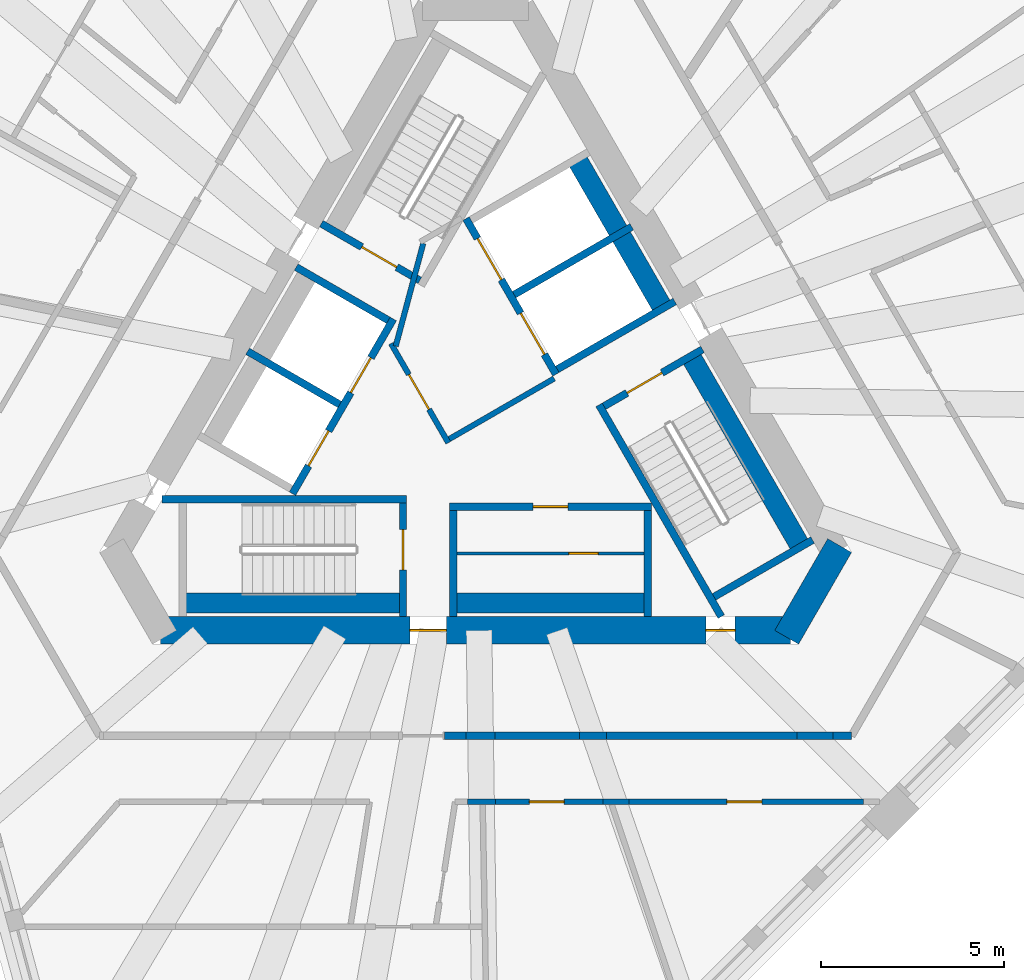
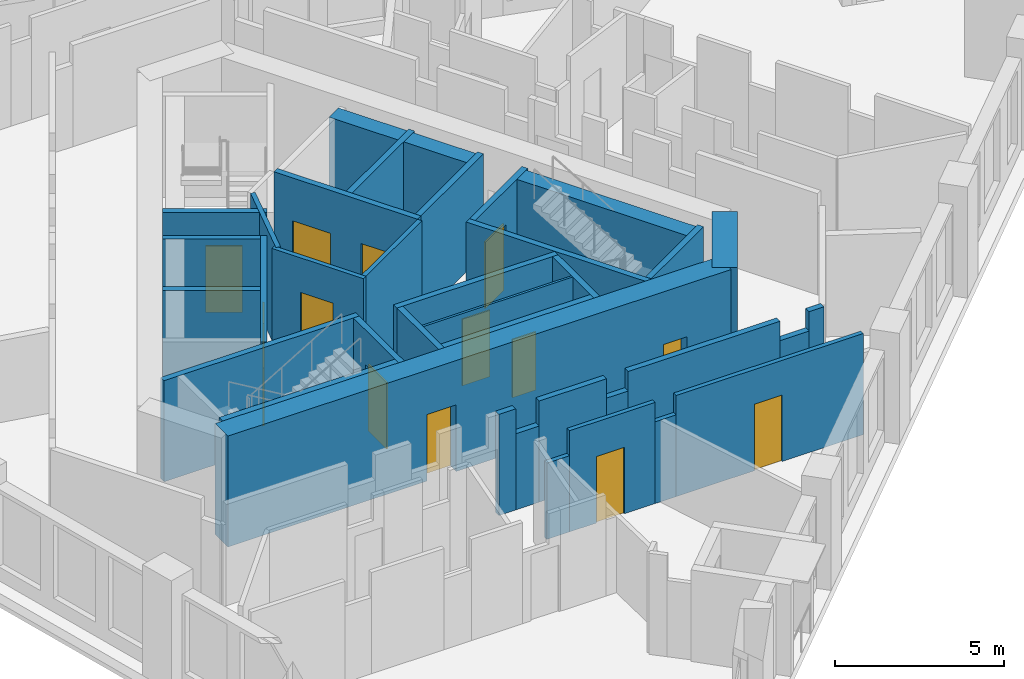
# One storey, part 4 of 13: 36 walls, 14 doors, 14 openings.
"""IFC4 building model written with IfcOpenShell, lengths in metres."""

from ifc_helpers import new_model, si_unit, direction, frame, frame_2d, origin, place, context, subcontext, project, spatial, rectangle, extrude, material, layer, layer_set, type_object, element, fill, save


model = new_model("IFC4")

# Units and contexts
model_context = context("Model", 3, precision=1e-05, world=origin(), true_north=direction((0.0, 1.0)))
body_context = subcontext(model_context, "Body", "Model", "MODEL_VIEW")
ifc_project = project(units=[si_unit("LENGTHUNIT", "METRE"), si_unit("AREAUNIT", "SQUARE_METRE"), si_unit("VOLUMEUNIT", "CUBIC_METRE"), si_unit("PLANEANGLEUNIT", "RADIAN"), si_unit("MASSUNIT", "GRAM", prefix="KILO")], contexts=[model_context])

# Site, building, storey
site_placement = place(None, origin())
site = spatial("IfcSite", under=ifc_project, at=site_placement, CompositionType="ELEMENT")
building_placement = place(site_placement, origin())
building = spatial("IfcBuilding", under=site, at=building_placement, Name="Tramontana Tower", CompositionType="ELEMENT")
storey_placement = place(building_placement, frame((0.0, 0.0, 224.0)))
storey = spatial("IfcBuildingStorey", under=building, at=storey_placement, Name="L52", CompositionType="ELEMENT", Elevation=224.0)

# Wall, openings, doors
ifc_material_1 = material(Name="Concrete 70 MPa", Category="concrete")
ifc_layer_1 = layer(ifc_material_1, 0.75)
ifc_layer_set_1 = layer_set([ifc_layer_1], Name="Core wall 750 70 MPa")
wall_type_1 = type_object("IfcWallType", Name="Core wall 750 70 MPa", PredefinedType="SHEAR", material=ifc_layer_set_1)
wall_1_placement = place(storey_placement, frame((-8.588134765625, -6.375, 0.0), z_axis=(0.0, 0.0, 1.0), x_axis=(1.0, 0.0, 0.0)))
wall_1 = element("IfcWall", 1, at=wall_1_placement, inside=storey, type_object=wall_type_1, Name="Core wall C3 L52", PredefinedType="SHEAR", context=body_context, shape_type="SweptSolid", body=[
    extrude(rectangle(XDim=17.17626953125, YDim=0.75, at=frame_2d((8.588134765625, 0.0))), origin(), (0.0, 0.0, 1.0), 4.0),
])
opening_1_placement = place(wall_1_placement, frame((6.793212890625, 0.0, 0.0)))
opening_1 = element("IfcOpeningElement", 2, at=opening_1_placement, cuts=wall_1, Name="Opening RG2", PredefinedType="OPENING", context=body_context, shape_type="SweptSolid", body=[
    extrude(rectangle(XDim=1.0, YDim=2.39990234375, at=frame_2d((0.5, 1.199951171875))), frame((0.0, 0.385009765625, 0.0), z_axis=(0.0, -1.0, 0.0), x_axis=(1.0, 0.0, 0.0)), (0.0, 0.0, 1.0), 0.77001953125),
])
opening_2_placement = place(wall_1_placement, frame((14.863525390625, 0.0, 0.0)))
opening_2 = element("IfcOpeningElement", 3, at=opening_2_placement, cuts=wall_1, Name="Opening PD2", PredefinedType="OPENING", context=body_context, shape_type="SweptSolid", body=[
    extrude(rectangle(XDim=0.800048828125, YDim=2.10009765625, at=frame_2d((0.39990234375, 1.050048828125))), frame((0.0, 0.385009765625, 0.0), z_axis=(0.0, -1.0, 0.0), x_axis=(1.0, 0.0, 0.0)), (0.0, 0.0, 1.0), 0.77001953125),
])
ifc_material_2 = material(Name="Painted steel", Category="steel")
door_type_1 = type_object("IfcDoorType", Name="CUPBOARD DOOR 800", OperationType="SINGLE_SWING_LEFT", PredefinedType="DOOR", material=ifc_material_2)
door_1_placement = place(opening_2_placement, origin())
door_1 = element("IfcDoor", 4, at=door_1_placement, inside=storey, type_object=door_type_1, Name="Door PD2", OperationType="SINGLE_SWING_RIGHT", OverallHeight=2.10009765625, OverallWidth=0.800048828125, PredefinedType="DOOR", context=body_context, shape_type="SweptSolid", body=[
    extrude(rectangle(XDim=0.800048828125, YDim=2.10009765625, at=frame_2d((0.39990234375, 1.050048828125))), frame((0.0, 0.02490234375, 0.0), z_axis=(0.0, -1.0, 0.0), x_axis=(1.0, 0.0, 0.0)), (0.0, 0.0, 1.0), 0.050048828125),
])
fill(opening_2, door_1)
ifc_material_3 = material(Name="Painted steel", Category="steel")
door_type_2 = type_object("IfcDoorType", Name="RING DOOR 1000", OperationType="SINGLE_SWING_LEFT", PredefinedType="DOOR", material=ifc_material_3)
door_2_placement = place(opening_1_placement, origin())
door_2 = element("IfcDoor", 5, at=door_2_placement, inside=storey, type_object=door_type_2, Name="Door RG2", OperationType="SINGLE_SWING_LEFT", OverallHeight=2.39990234375, OverallWidth=1.0, PredefinedType="DOOR", context=body_context, shape_type="SweptSolid", body=[
    extrude(rectangle(XDim=1.0, YDim=2.39990234375, at=frame_2d((0.5, 1.199951171875))), frame((0.0, 0.02490234375, 0.0), z_axis=(0.0, -1.0, 0.0), x_axis=(1.0, 0.0, 0.0)), (0.0, 0.0, 1.0), 0.050048828125),
])
fill(opening_1, door_2)

# Walls
wall_2_placement = place(storey_placement, frame((8.479736328125, -6.5625, 0.0), z_axis=(0.0, 0.0, 1.0), x_axis=(0.499995765644, 0.866027848477, 0.0)))
element("IfcWall", 6, at=wall_2_placement, inside=storey, type_object=wall_type_1, Name="Core wall C4 L52", PredefinedType="SHEAR", context=body_context, shape_type="SweptSolid", body=[
    extrude(rectangle(XDim=2.88671875, YDim=0.75, at=frame_2d((1.443359375, 0.0))), origin(), (0.0, 0.0, 1.0), 4.0),
])
ifc_material_4 = material(Name="Blockwork", Category="masonry")
ifc_layer_2 = layer(ifc_material_4, 0.199951171875)
ifc_layer_set_2 = layer_set([ifc_layer_2], Name="ENTRY WALL 200")
wall_type_2 = type_object("IfcWallType", Name="ENTRY WALL 200", PredefinedType="SOLIDWALL", material=ifc_layer_set_2)
wall_3_placement = place(storey_placement, frame((10.248046875, -9.25, 0.0), z_axis=(0.0, 0.0, 1.0), x_axis=(-1.0, 0.0, 0.0)))
element("IfcWall", 7, at=wall_3_placement, inside=storey, type_object=wall_type_2, Name="Wall v52-ew2-0", PredefinedType="SOLIDWALL", context=body_context, shape_type="SweptSolid", body=[
    extrude(rectangle(XDim=0.503173828125, YDim=0.199951171875, at=frame_2d((0.25146484375, 0.0))), origin(), (0.0, 0.0, 1.0), 3.64990234375),
])
wall_4_placement = place(storey_placement, frame((9.744873046875, -9.25, 0.0), z_axis=(0.0, 0.0, 1.0), x_axis=(-1.0, 0.0, 0.0)))
element("IfcWall", 8, at=wall_4_placement, inside=storey, type_object=wall_type_2, Name="Wall v52-ew2-1", PredefinedType="SOLIDWALL", context=body_context, shape_type="SweptSolid", body=[
    extrude(rectangle(XDim=0.98974609375, YDim=0.199951171875, at=frame_2d((0.494873046875, 0.0))), origin(), (0.0, 0.0, 1.0), 2.949951171875),
])
wall_5_placement = place(storey_placement, frame((8.755126953125, -9.25, 0.0), z_axis=(0.0, 0.0, 1.0), x_axis=(-1.0, 0.0, 0.0)))
element("IfcWall", 9, at=wall_5_placement, inside=storey, type_object=wall_type_2, Name="Wall v52-ew2-2", PredefinedType="SOLIDWALL", context=body_context, shape_type="SweptSolid", body=[
    extrude(rectangle(XDim=5.18212890625, YDim=0.199951171875, at=frame_2d((2.591064453125, 0.0))), origin(), (0.0, 0.0, 1.0), 3.64990234375),
])
wall_6_placement = place(storey_placement, frame((3.572998046875, -9.25, 0.0), z_axis=(0.0, 0.0, 1.0), x_axis=(-1.0, 0.0, 0.0)))
element("IfcWall", 10, at=wall_6_placement, inside=storey, type_object=wall_type_2, Name="Wall v52-ew2-3", PredefinedType="SOLIDWALL", context=body_context, shape_type="SweptSolid", body=[
    extrude(rectangle(XDim=0.74072265625, YDim=0.199951171875, at=frame_2d((0.370361328125, 0.0))), origin(), (0.0, 0.0, 1.0), 2.949951171875),
])
wall_7_placement = place(storey_placement, frame((2.832275390625, -9.25, 0.0), z_axis=(0.0, 0.0, 1.0), x_axis=(-1.0, 0.0, 0.0)))
element("IfcWall", 11, at=wall_7_placement, inside=storey, type_object=wall_type_2, Name="Wall v52-ew2-4", PredefinedType="SOLIDWALL", context=body_context, shape_type="SweptSolid", body=[
    extrude(rectangle(XDim=2.29736328125, YDim=0.199951171875, at=frame_2d((1.148681640625, 0.0))), origin(), (0.0, 0.0, 1.0), 3.64990234375),
])
wall_8_placement = place(storey_placement, frame((0.534912109375, -9.25, 0.0), z_axis=(0.0, 0.0, 1.0), x_axis=(-1.0, 0.0, 0.0)))
element("IfcWall", 12, at=wall_8_placement, inside=storey, type_object=wall_type_2, Name="Wall v52-ew2-5", PredefinedType="SOLIDWALL", context=body_context, shape_type="SweptSolid", body=[
    extrude(rectangle(XDim=0.800048828125, YDim=0.199951171875, at=frame_2d((0.39990234375, 0.0))), origin(), (0.0, 0.0, 1.0), 2.75),
])
wall_9_placement = place(storey_placement, frame((-0.26513671875, -9.25, 0.0), z_axis=(0.0, 0.0, 1.0), x_axis=(-1.0, 0.0, 0.0)))
element("IfcWall", 13, at=wall_9_placement, inside=storey, type_object=wall_type_2, Name="Wall v52-ew2-6", PredefinedType="SOLIDWALL", context=body_context, shape_type="SweptSolid", body=[
    extrude(rectangle(XDim=0.576171875, YDim=0.199951171875, at=frame_2d((0.2880859375, 0.0))), origin(), (0.0, 0.0, 1.0), 3.64990234375),
])

# Wall, opening, door
ifc_material_5 = material(Name="Gypsum board partition")
ifc_layer_3 = layer(ifc_material_5, 0.14990234375)
ifc_layer_set_3 = layer_set([ifc_layer_3], Name="PARTITION 150")
wall_type_3 = type_object("IfcWallType", Name="PARTITION 150", PredefinedType="PARTITIONING", material=ifc_layer_set_3)
wall_10_placement = place(storey_placement, frame((-0.744140625, -1.260986328125, 0.0), z_axis=(0.0, 0.0, 1.0), x_axis=(-0.500004234368, 0.866022959057, 0.0)))
wall_10 = element("IfcWall", 14, at=wall_10_placement, inside=storey, type_object=wall_type_3, Name="Wall ff-front", PredefinedType="PARTITIONING", context=body_context, shape_type="SweptSolid", body=[
    extrude(rectangle(XDim=3.125, YDim=0.14990234375, at=frame_2d((1.5625, 0.0))), origin(), (0.0, 0.0, 1.0), 3.64990234375),
])
opening_3_placement = place(wall_10_placement, frame((1.050048828125, 0.0, 0.0)))
opening_3 = element("IfcOpeningElement", 15, at=opening_3_placement, cuts=wall_10, Name="Opening FD1", PredefinedType="OPENING", context=body_context, shape_type="SweptSolid", body=[
    extrude(rectangle(XDim=1.10009765625, YDim=2.39990234375, at=frame_2d((0.550048828125, 1.199951171875))), frame((0.0, 0.0849609375, 0.0), z_axis=(0.0, -1.0, 0.0), x_axis=(1.0, 0.0, 0.0)), (0.0, 0.0, 1.0), 0.169921875),
])
ifc_material_6 = material(Name="Painted timber", Category="wood")
door_type_3 = type_object("IfcDoorType", Name="DOOR ENTRY 1100", OperationType="SINGLE_SWING_LEFT", PredefinedType="DOOR", material=ifc_material_6)
door_3_placement = place(opening_3_placement, origin())
door_3 = element("IfcDoor", 16, at=door_3_placement, inside=storey, type_object=door_type_3, Name="Door FD1", OperationType="SINGLE_SWING_LEFT", OverallHeight=2.39990234375, OverallWidth=1.10009765625, PredefinedType="DOOR", context=body_context, shape_type="SweptSolid", body=[
    extrude(rectangle(XDim=1.10009765625, YDim=2.39990234375, at=frame_2d((0.550048828125, 1.199951171875))), frame((0.0, 0.02490234375, 0.0), z_axis=(0.0, -1.0, 0.0), x_axis=(1.0, 0.0, 0.0)), (0.0, 0.0, 1.0), 0.050048828125),
])
fill(opening_3, door_3)

# Walls
wall_11_placement = place(storey_placement, frame((-0.716796875, -1.15869140625, 0.0), z_axis=(0.0, 0.0, 1.0), x_axis=(0.866008176907, 0.50002983664, 0.0)))
element("IfcWall", 17, at=wall_11_placement, inside=storey, type_object=wall_type_3, Name="Wall ff-end0", PredefinedType="PARTITIONING", context=body_context, shape_type="SweptSolid", body=[
    extrude(rectangle(XDim=3.300048828125, YDim=0.14990234375, at=frame_2d((1.64990234375, 0.0))), origin(), (0.0, 0.0, 1.0), 3.64990234375),
])
wall_12_placement = place(storey_placement, frame((-2.177978515625, 1.372314453125, 0.0), z_axis=(0.0, 0.0, 1.0), x_axis=(0.258808958833, 0.96592852884, 0.0)))
element("IfcWall", 18, at=wall_12_placement, inside=storey, type_object=wall_type_3, Name="Wall ff-diag", PredefinedType="PARTITIONING", context=body_context, shape_type="SweptSolid", body=[
    extrude(rectangle(XDim=2.902587890625, YDim=0.14990234375, at=frame_2d((1.451171875, 0.0))), origin(), (0.0, 0.0, 1.0), 3.64990234375),
])

# Wall, opening, door
wall_13_placement = place(storey_placement, frame((10.57275390625, -11.050048828125, 0.0), z_axis=(0.0, 0.0, 1.0), x_axis=(-1.0, 0.0, 0.0)))
wall_13 = element("IfcWall", 19, at=wall_13_placement, inside=storey, type_object=wall_type_3, Name="Wall v52-pw32-1", PredefinedType="PARTITIONING", context=body_context, shape_type="SweptSolid", body=[
    extrude(rectangle(XDim=6.3896484375, YDim=0.14990234375, at=frame_2d((3.19482421875, 0.0))), origin(), (0.0, 0.0, 1.0), 3.64990234375),
])
opening_4_placement = place(wall_13_placement, frame((2.77001953125, 0.0, 0.0)))
opening_4 = element("IfcOpeningElement", 20, at=opening_4_placement, cuts=wall_13, Name="Opening B5C-11", PredefinedType="OPENING", context=body_context, shape_type="SweptSolid", body=[
    extrude(rectangle(XDim=0.949951171875, YDim=2.39990234375, at=frame_2d((0.47509765625, 1.199951171875))), frame((0.0, 0.0849609375, 0.0), z_axis=(0.0, -1.0, 0.0), x_axis=(1.0, 0.0, 0.0)), (0.0, 0.0, 1.0), 0.169921875),
])
ifc_material_7 = material(Name="Painted timber", Category="wood")
door_type_4 = type_object("IfcDoorType", Name="DOOR ROOM 950", OperationType="SINGLE_SWING_LEFT", PredefinedType="DOOR", material=ifc_material_7)
door_4_placement = place(opening_4_placement, origin())
door_4 = element("IfcDoor", 21, at=door_4_placement, inside=storey, type_object=door_type_4, Name="Door B5C-11", OperationType="SINGLE_SWING_LEFT", OverallHeight=2.39990234375, OverallWidth=0.949951171875, PredefinedType="DOOR", context=body_context, shape_type="SweptSolid", body=[
    extrude(rectangle(XDim=0.949951171875, YDim=2.39990234375, at=frame_2d((0.47509765625, 1.199951171875))), frame((0.0, 0.02490234375, 0.0), z_axis=(0.0, -1.0, 0.0), x_axis=(1.0, 0.0, 0.0)), (0.0, 0.0, 1.0), 0.050048828125),
])
fill(opening_4, door_4)

# Wall
wall_14_placement = place(storey_placement, frame((4.18310546875, -11.050048828125, 0.0), z_axis=(0.0, 0.0, 1.0), x_axis=(-1.0, 0.0, 0.0)))
element("IfcWall", 22, at=wall_14_placement, inside=storey, type_object=wall_type_3, Name="Wall v52-pw32-2", PredefinedType="PARTITIONING", context=body_context, shape_type="SweptSolid", body=[
    extrude(rectangle(XDim=0.71435546875, YDim=0.14990234375, at=frame_2d((0.357177734375, 0.0))), origin(), (0.0, 0.0, 1.0), 2.949951171875),
])

# Wall, opening, door
wall_15_placement = place(storey_placement, frame((3.46875, -11.050048828125, 0.0), z_axis=(0.0, 0.0, 1.0), x_axis=(-1.0, 0.0, 0.0)))
wall_15 = element("IfcWall", 23, at=wall_15_placement, inside=storey, type_object=wall_type_3, Name="Wall v52-pw32-3", PredefinedType="PARTITIONING", context=body_context, shape_type="SweptSolid", body=[
    extrude(rectangle(XDim=2.919921875, YDim=0.14990234375, at=frame_2d((1.4599609375, 0.0))), origin(), (0.0, 0.0, 1.0), 3.64990234375),
])
opening_5_placement = place(wall_15_placement, frame((1.05419921875, 0.0, 0.0)))
opening_5 = element("IfcOpeningElement", 24, at=opening_5_placement, cuts=wall_15, Name="Opening B5C-10", PredefinedType="OPENING", context=body_context, shape_type="SweptSolid", body=[
    extrude(rectangle(XDim=0.949951171875, YDim=2.39990234375, at=frame_2d((0.47509765625, 1.199951171875))), frame((0.0, 0.0849609375, 0.0), z_axis=(0.0, -1.0, 0.0), x_axis=(1.0, 0.0, 0.0)), (0.0, 0.0, 1.0), 0.169921875),
])
door_5_placement = place(opening_5_placement, origin())
door_5 = element("IfcDoor", 25, at=door_5_placement, inside=storey, type_object=door_type_4, Name="Door B5C-10", OperationType="SINGLE_SWING_RIGHT", OverallHeight=2.39990234375, OverallWidth=0.949951171875, PredefinedType="DOOR", context=body_context, shape_type="SweptSolid", body=[
    extrude(rectangle(XDim=0.949951171875, YDim=2.39990234375, at=frame_2d((0.47509765625, 1.199951171875))), frame((0.0, 0.02490234375, 0.0), z_axis=(0.0, -1.0, 0.0), x_axis=(1.0, 0.0, 0.0)), (0.0, 0.0, 1.0), 0.050048828125),
])
fill(opening_5, door_5)

# Wall
wall_16_placement = place(storey_placement, frame((0.548828125, -11.050048828125, 0.0), z_axis=(0.0, 0.0, 1.0), x_axis=(-1.0, 0.0, 0.0)))
element("IfcWall", 26, at=wall_16_placement, inside=storey, type_object=wall_type_3, Name="Wall v52-pw32-4", PredefinedType="PARTITIONING", context=body_context, shape_type="SweptSolid", body=[
    extrude(rectangle(XDim=0.775146484375, YDim=0.14990234375, at=frame_2d((0.3876953125, 0.0))), origin(), (0.0, 0.0, 1.0), 2.75),
])

# Wall, opening, door
ifc_material_8 = material(Name="Gypsum board partition")
ifc_layer_4 = layer(ifc_material_8, 0.080078125)
ifc_layer_set_4 = layer_set([ifc_layer_4], Name="PARTITION 80")
wall_type_4 = type_object("IfcWallType", Name="PARTITION 80", PredefinedType="PARTITIONING", material=ifc_layer_set_4)
wall_17_placement = place(storey_placement, frame((4.590087890625, -4.27490234375, 0.0), z_axis=(0.0, 0.0, 1.0), x_axis=(-1.0, 0.0, 0.0)))
wall_17 = element("IfcWall", 27, at=wall_17_placement, inside=storey, type_object=wall_type_4, Name="Wall row1-split", PredefinedType="PARTITIONING", context=body_context, shape_type="SweptSolid", body=[
    extrude(rectangle(XDim=5.10009765625, YDim=0.080078125, at=frame_2d((2.550048828125, 0.0))), origin(), (0.0, 0.0, 1.0), 3.64990234375),
])
opening_6_placement = place(wall_17_placement, frame((1.25, 0.0, 0.0)))
opening_6 = element("IfcOpeningElement", 28, at=opening_6_placement, cuts=wall_17, Name="Opening RD-1B", PredefinedType="OPENING", context=body_context, shape_type="SweptSolid", body=[
    extrude(rectangle(XDim=0.800048828125, YDim=2.10009765625, at=frame_2d((0.39990234375, 1.050048828125))), frame((0.0, 0.050048828125, 0.0), z_axis=(0.0, -1.0, 0.0), x_axis=(1.0, 0.0, 0.0)), (0.0, 0.0, 1.0), 0.10009765625),
])
door_6_placement = place(opening_6_placement, origin())
door_6 = element("IfcDoor", 29, at=door_6_placement, inside=storey, type_object=door_type_1, Name="Door RD-1B", OperationType="SINGLE_SWING_RIGHT", OverallHeight=2.10009765625, OverallWidth=0.800048828125, PredefinedType="DOOR", context=body_context, shape_type="SweptSolid", body=[
    extrude(rectangle(XDim=0.800048828125, YDim=2.10009765625, at=frame_2d((0.39990234375, 1.050048828125))), frame((0.0, 0.02490234375, 0.0), z_axis=(0.0, -1.0, 0.0), x_axis=(1.0, 0.0, 0.0)), (0.0, 0.0, 1.0), 0.050048828125),
])
fill(opening_6, door_6)

# Walls
ifc_material_9 = material(Name="Concrete 70 MPa", Category="concrete")
ifc_layer_5 = layer(ifc_material_9, 0.550048828125)
ifc_layer_set_5 = layer_set([ifc_layer_5], Name="Concrete 70 MPa, 550 mm")
wall_type_5 = type_object("IfcWallType", Name="RC SHAFT BACK WALL 550", PredefinedType="SOLIDWALL", material=ifc_layer_set_5)
wall_18_placement = place(storey_placement, frame((-8.080078125, -5.625, 0.0), z_axis=(0.0, 0.0, 1.0), x_axis=(1.0, 0.0, 0.0)))
element("IfcWall", 30, at=wall_18_placement, inside=storey, type_object=wall_type_5, Name="Wall st2-back", PredefinedType="SOLIDWALL", context=body_context, shape_type="SweptSolid", body=[
    extrude(rectangle(XDim=6.2001953125, YDim=0.550048828125, at=frame_2d((3.10009765625, 0.0))), origin(), (0.0, 0.0, 1.0), 3.64990234375),
])
wall_19_placement = place(storey_placement, frame((8.911376953125, -4.18505859375, 0.0), z_axis=(0.0, 0.0, 1.0), x_axis=(-0.500009909098, 0.866019682689, 0.0)))
element("IfcWall", 31, at=wall_19_placement, inside=storey, type_object=wall_type_5, Name="Wall st3-back", PredefinedType="SOLIDWALL", context=body_context, shape_type="SweptSolid", body=[
    extrude(rectangle(XDim=6.199951171875, YDim=0.550048828125, at=frame_2d((3.10009765625, 0.0))), origin(), (0.0, 0.0, 1.0), 3.64990234375),
])
wall_20_placement = place(storey_placement, frame((-0.7099609375, -5.625, 0.0), z_axis=(0.0, 0.0, 1.0), x_axis=(1.0, 0.0, 0.0)))
element("IfcWall", 32, at=wall_20_placement, inside=storey, type_object=wall_type_5, Name="Wall row1-back", PredefinedType="SOLIDWALL", context=body_context, shape_type="SweptSolid", body=[
    extrude(rectangle(XDim=5.5, YDim=0.550048828125, at=frame_2d((2.75, 0.0))), origin(), (0.0, 0.0, 1.0), 3.64990234375),
])
wall_21_placement = place(storey_placement, frame((5.156494140625, 2.31884765625, 0.0), z_axis=(0.0, 0.0, 1.0), x_axis=(-0.500018594424, 0.866014668023, 0.0)))
element("IfcWall", 33, at=wall_21_placement, inside=storey, type_object=wall_type_5, Name="Wall row2-back", PredefinedType="SOLIDWALL", context=body_context, shape_type="SweptSolid", body=[
    extrude(rectangle(XDim=4.900146484375, YDim=0.550048828125, at=frame_2d((2.4501953125, 0.0))), origin(), (0.0, 0.0, 1.0), 3.64990234375),
])

# Wall, opening, door
ifc_material_10 = material(Name="Concrete 70 MPa", Category="concrete")
ifc_layer_6 = layer(ifc_material_10, 0.199951171875)
ifc_layer_set_6 = layer_set([ifc_layer_6], Name="Concrete 70 MPa, 200 mm")
wall_type_6 = type_object("IfcWallType", Name="RC STAIR AND SHAFT WALL 200", PredefinedType="SOLIDWALL", material=ifc_layer_set_6)
wall_22_placement = place(storey_placement, frame((-1.521484375, 3.164794921875, 0.0), z_axis=(0.0, 0.0, 1.0), x_axis=(-0.86600983753, 0.500026960575, 0.0)))
wall_22 = element("IfcWall", 34, at=wall_22_placement, inside=storey, type_object=wall_type_6, Name="Wall st1-near", PredefinedType="SOLIDWALL", context=body_context, shape_type="SweptSolid", body=[
    extrude(rectangle(XDim=3.099853515625, YDim=0.199951171875, at=frame_2d((1.5498046875, 0.0))), origin(), (0.0, 0.0, 1.0), 3.64990234375),
])
opening_7_placement = place(wall_22_placement, frame((0.72509765625, 0.0, 0.0)))
opening_7 = element("IfcOpeningElement", 35, at=opening_7_placement, cuts=wall_22, Name="Opening SD1", PredefinedType="OPENING", context=body_context, shape_type="SweptSolid", body=[
    extrude(rectangle(XDim=1.10009765625, YDim=2.39990234375, at=frame_2d((0.550048828125, 1.199951171875))), frame((0.0, 0.10986328125, 0.0), z_axis=(0.0, -1.0, 0.0), x_axis=(1.0, 0.0, 0.0)), (0.0, 0.0, 1.0), 0.219970703125),
])
ifc_material_11 = material(Name="Painted steel", Category="steel")
door_type_5 = type_object("IfcDoorType", Name="STAIR DOOR 1100", OperationType="SINGLE_SWING_LEFT", PredefinedType="DOOR", material=ifc_material_11)
door_7_placement = place(opening_7_placement, origin())
door_7 = element("IfcDoor", 36, at=door_7_placement, inside=storey, type_object=door_type_5, Name="Door SD1", OperationType="SINGLE_SWING_RIGHT", OverallHeight=2.39990234375, OverallWidth=1.10009765625, PredefinedType="DOOR", context=body_context, shape_type="SweptSolid", body=[
    extrude(rectangle(XDim=1.10009765625, YDim=2.39990234375, at=frame_2d((0.550048828125, 1.199951171875))), frame((0.0, 0.02490234375, 0.0), z_axis=(0.0, -1.0, 0.0), x_axis=(1.0, 0.0, 0.0)), (0.0, 0.0, 1.0), 0.050048828125),
])
fill(opening_7, door_7)

# Wall
wall_23_placement = place(storey_placement, frame((-8.544677734375, -2.800048828125, 0.0), z_axis=(0.0, 0.0, 1.0), x_axis=(1.0, 0.0, 0.0)))
element("IfcWall", 37, at=wall_23_placement, inside=storey, type_object=wall_type_6, Name="Wall st2-front", PredefinedType="SOLIDWALL", context=body_context, shape_type="SweptSolid", body=[
    extrude(rectangle(XDim=6.664794921875, YDim=0.199951171875, at=frame_2d((3.33251953125, 0.0))), origin(), (0.0, 0.0, 1.0), 3.64990234375),
])

# Wall, opening, door
wall_24_placement = place(storey_placement, frame((-1.97998046875, -2.89990234375, 0.0), z_axis=(0.0, 0.0, 1.0), x_axis=(0.0, -1.0, 0.0)))
wall_24 = element("IfcWall", 38, at=wall_24_placement, inside=storey, type_object=wall_type_6, Name="Wall st2-near", PredefinedType="SOLIDWALL", context=body_context, shape_type="SweptSolid", body=[
    extrude(rectangle(XDim=3.10009765625, YDim=0.199951171875, at=frame_2d((1.550048828125, 0.0))), origin(), (0.0, 0.0, 1.0), 3.64990234375),
])
opening_8_placement = place(wall_24_placement, frame((0.72509765625, 0.0, 0.0)))
opening_8 = element("IfcOpeningElement", 39, at=opening_8_placement, cuts=wall_24, Name="Opening SD2", PredefinedType="OPENING", context=body_context, shape_type="SweptSolid", body=[
    extrude(rectangle(XDim=1.10009765625, YDim=2.39990234375, at=frame_2d((0.550048828125, 1.199951171875))), frame((0.0, 0.10986328125, 0.0), z_axis=(0.0, -1.0, 0.0), x_axis=(1.0, 0.0, 0.0)), (0.0, 0.0, 1.0), 0.219970703125),
])
door_8_placement = place(opening_8_placement, origin())
door_8 = element("IfcDoor", 40, at=door_8_placement, inside=storey, type_object=door_type_5, Name="Door SD2", OperationType="SINGLE_SWING_LEFT", OverallHeight=2.39990234375, OverallWidth=1.10009765625, PredefinedType="DOOR", context=body_context, shape_type="SweptSolid", body=[
    extrude(rectangle(XDim=1.10009765625, YDim=2.39990234375, at=frame_2d((0.550048828125, 1.199951171875))), frame((0.0, 0.02490234375, 0.0), z_axis=(0.0, -1.0, 0.0), x_axis=(1.0, 0.0, 0.0)), (0.0, 0.0, 1.0), 0.050048828125),
])
fill(opening_8, door_8)

# Walls
wall_25_placement = place(storey_placement, frame((6.697265625, -6.0, 0.0), z_axis=(0.0, 0.0, 1.0), x_axis=(-0.499980354584, 0.866036745774, 0.0)))
element("IfcWall", 41, at=wall_25_placement, inside=storey, type_object=wall_type_6, Name="Wall st3-front", PredefinedType="SOLIDWALL", context=body_context, shape_type="SweptSolid", body=[
    extrude(rectangle(XDim=6.664794921875, YDim=0.199951171875, at=frame_2d((3.33251953125, 0.0))), origin(), (0.0, 0.0, 1.0), 3.64990234375),
])
wall_26_placement = place(storey_placement, frame((6.50146484375, -5.4609375, 0.0), z_axis=(0.0, 0.0, 1.0), x_axis=(0.86600983753, 0.500026960575, 0.0)))
element("IfcWall", 42, at=wall_26_placement, inside=storey, type_object=wall_type_6, Name="Wall st3-far", PredefinedType="SOLIDWALL", context=body_context, shape_type="SweptSolid", body=[
    extrude(rectangle(XDim=3.099853515625, YDim=0.199951171875, at=frame_2d((1.5498046875, 0.0))), origin(), (0.0, 0.0, 1.0), 3.64990234375),
])

# Wall, opening, door
wall_27_placement = place(storey_placement, frame((3.50146484375, -0.2646484375, 0.0), z_axis=(0.0, 0.0, 1.0), x_axis=(0.866043940782, 0.499967891604, 0.0)))
wall_27 = element("IfcWall", 43, at=wall_27_placement, inside=storey, type_object=wall_type_6, Name="Wall st3-near", PredefinedType="SOLIDWALL", context=body_context, shape_type="SweptSolid", body=[
    extrude(rectangle(XDim=3.099853515625, YDim=0.199951171875, at=frame_2d((1.5498046875, 0.0))), origin(), (0.0, 0.0, 1.0), 3.64990234375),
])
opening_9_placement = place(wall_27_placement, frame((0.72509765625, 0.0, 0.0)))
opening_9 = element("IfcOpeningElement", 44, at=opening_9_placement, cuts=wall_27, Name="Opening SD3", PredefinedType="OPENING", context=body_context, shape_type="SweptSolid", body=[
    extrude(rectangle(XDim=1.10009765625, YDim=2.39990234375, at=frame_2d((0.550048828125, 1.199951171875))), frame((0.0, 0.10986328125, 0.0), z_axis=(0.0, -1.0, 0.0), x_axis=(1.0, 0.0, 0.0)), (0.0, 0.0, 1.0), 0.219970703125),
])
door_9_placement = place(opening_9_placement, origin())
door_9 = element("IfcDoor", 45, at=door_9_placement, inside=storey, type_object=door_type_5, Name="Door SD3", OperationType="SINGLE_SWING_RIGHT", OverallHeight=2.39990234375, OverallWidth=1.10009765625, PredefinedType="DOOR", context=body_context, shape_type="SweptSolid", body=[
    extrude(rectangle(XDim=1.10009765625, YDim=2.39990234375, at=frame_2d((0.550048828125, 1.199951171875))), frame((0.0, 0.02490234375, 0.0), z_axis=(0.0, -1.0, 0.0), x_axis=(1.0, 0.0, 0.0)), (0.0, 0.0, 1.0), 0.050048828125),
])
fill(opening_9, door_9)

# Wall, openings, doors
wall_28_placement = place(storey_placement, frame((-2.2431640625, 2.114990234375, 0.0), z_axis=(0.0, 0.0, 1.0), x_axis=(-0.499996545922, -0.866027397988, 0.0)))
wall_28 = element("IfcWall", 46, at=wall_28_placement, inside=storey, type_object=wall_type_6, Name="Wall row0-front", PredefinedType="SOLIDWALL", context=body_context, shape_type="SweptSolid", body=[
    extrude(rectangle(XDim=5.5, YDim=0.199951171875, at=frame_2d((2.75, 0.0))), origin(), (0.0, 0.0, 1.0), 3.64990234375),
])
opening_10_placement = place(wall_28_placement, frame((1.219970703125, 0.0, 0.0)))
opening_10 = element("IfcOpeningElement", 47, at=opening_10_placement, cuts=wall_28, Name="Opening LD-P1", PredefinedType="OPENING", context=body_context, shape_type="SweptSolid", body=[
    extrude(rectangle(XDim=1.10009765625, YDim=2.10009765625, at=frame_2d((0.550048828125, 1.050048828125))), frame((0.0, 0.10986328125, 0.0), z_axis=(0.0, -1.0, 0.0), x_axis=(1.0, 0.0, 0.0)), (0.0, 0.0, 1.0), 0.219970703125),
])
opening_11_placement = place(wall_28_placement, frame((3.52490234375, 0.0, 0.0)))
opening_11 = element("IfcOpeningElement", 48, at=opening_11_placement, cuts=wall_28, Name="Opening LD-P2", PredefinedType="OPENING", context=body_context, shape_type="SweptSolid", body=[
    extrude(rectangle(XDim=1.10009765625, YDim=2.10009765625, at=frame_2d((0.550048828125, 1.050048828125))), frame((0.0, 0.10986328125, 0.0), z_axis=(0.0, -1.0, 0.0), x_axis=(1.0, 0.0, 0.0)), (0.0, 0.0, 1.0), 0.219970703125),
])
ifc_material_12 = material(Name="Brushed steel", Category="steel")
door_type_6 = type_object("IfcDoorType", Name="LANDING DOOR 1100", OperationType="SINGLE_SWING_LEFT", PredefinedType="DOOR", material=ifc_material_12)
door_10_placement = place(opening_10_placement, origin())
door_10 = element("IfcDoor", 49, at=door_10_placement, inside=storey, type_object=door_type_6, Name="Door LD-P1", OperationType="SLIDING_TO_LEFT", OverallHeight=2.10009765625, OverallWidth=1.10009765625, PredefinedType="DOOR", context=body_context, shape_type="SweptSolid", body=[
    extrude(rectangle(XDim=1.10009765625, YDim=2.10009765625, at=frame_2d((0.550048828125, 1.050048828125))), frame((0.0, 0.02490234375, 0.0), z_axis=(0.0, -1.0, 0.0), x_axis=(1.0, 0.0, 0.0)), (0.0, 0.0, 1.0), 0.050048828125),
])
fill(opening_10, door_10)
door_11_placement = place(opening_11_placement, origin())
door_11 = element("IfcDoor", 50, at=door_11_placement, inside=storey, type_object=door_type_6, Name="Door LD-P2", OperationType="SLIDING_TO_RIGHT", OverallHeight=2.10009765625, OverallWidth=1.10009765625, PredefinedType="DOOR", context=body_context, shape_type="SweptSolid", body=[
    extrude(rectangle(XDim=1.10009765625, YDim=2.10009765625, at=frame_2d((0.550048828125, 1.050048828125))), frame((0.0, 0.02490234375, 0.0), z_axis=(0.0, -1.0, 0.0), x_axis=(1.0, 0.0, 0.0)), (0.0, 0.0, 1.0), 0.050048828125),
])
fill(opening_11, door_11)

# Walls
wall_29_placement = place(storey_placement, frame((-2.379638671875, 2.078369140625, 0.0), z_axis=(0.0, 0.0, 1.0), x_axis=(-0.866032775405, 0.499987231761, 0.0)))
element("IfcWall", 51, at=wall_29_placement, inside=storey, type_object=wall_type_6, Name="Wall row0-side0", PredefinedType="SOLIDWALL", context=body_context, shape_type="SweptSolid", body=[
    extrude(rectangle(XDim=2.89990234375, YDim=0.199951171875, at=frame_2d((1.449951171875, 0.0))), origin(), (0.0, 0.0, 1.0), 3.64990234375),
])
wall_30_placement = place(storey_placement, frame((-3.70458984375, -0.216796875, 0.0), z_axis=(0.0, 0.0, 1.0), x_axis=(-0.865996321171, 0.50005036918, 0.0)))
element("IfcWall", 52, at=wall_30_placement, inside=storey, type_object=wall_type_6, Name="Wall row0-side1", PredefinedType="SOLIDWALL", context=body_context, shape_type="SweptSolid", body=[
    extrude(rectangle(XDim=2.900146484375, YDim=0.199951171875, at=frame_2d((1.4501953125, 0.0))), origin(), (0.0, 0.0, 1.0), 3.64990234375),
])

# Wall, opening, door
wall_31_placement = place(storey_placement, frame((4.7900390625, -3.0, 0.0), z_axis=(0.0, 0.0, 1.0), x_axis=(-1.0, 0.0, 0.0)))
wall_31 = element("IfcWall", 53, at=wall_31_placement, inside=storey, type_object=wall_type_6, Name="Wall row1-front", PredefinedType="SOLIDWALL", context=body_context, shape_type="SweptSolid", body=[
    extrude(rectangle(XDim=5.5, YDim=0.199951171875, at=frame_2d((2.75, 0.0))), origin(), (0.0, 0.0, 1.0), 3.64990234375),
])
opening_12_placement = place(wall_31_placement, frame((2.27490234375, 0.0, 0.0)))
opening_12 = element("IfcOpeningElement", 54, at=opening_12_placement, cuts=wall_31, Name="Opening RD-1A", PredefinedType="OPENING", context=body_context, shape_type="SweptSolid", body=[
    extrude(rectangle(XDim=0.949951171875, YDim=2.39990234375, at=frame_2d((0.47509765625, 1.199951171875))), frame((0.0, 0.10986328125, 0.0), z_axis=(0.0, -1.0, 0.0), x_axis=(1.0, 0.0, 0.0)), (0.0, 0.0, 1.0), 0.219970703125),
])
door_12_placement = place(opening_12_placement, origin())
door_12 = element("IfcDoor", 55, at=door_12_placement, inside=storey, type_object=door_type_4, Name="Door RD-1A", OperationType="SINGLE_SWING_LEFT", OverallHeight=2.39990234375, OverallWidth=0.949951171875, PredefinedType="DOOR", context=body_context, shape_type="SweptSolid", body=[
    extrude(rectangle(XDim=0.949951171875, YDim=2.39990234375, at=frame_2d((0.47509765625, 1.199951171875))), frame((0.0, 0.02490234375, 0.0), z_axis=(0.0, -1.0, 0.0), x_axis=(1.0, 0.0, 0.0)), (0.0, 0.0, 1.0), 0.050048828125),
])
fill(opening_12, door_12)

# Walls
for number, where, z_axis, x_axis, name in (
    (56, (-0.610107421875, -3.10009765625, 0.0), (0.0, 0.0, 1.0), (0.0, -1.0, 0.0), "Wall row1-side0"),
    (57, (4.68994140625, -3.10009765625, 0.0), (0.0, 0.0, 1.0), (0.0, -1.0, 0.0), "Wall row1-side2"),
):
    element("IfcWall", number, at=place(storey_placement, frame(where, z_axis=z_axis, x_axis=x_axis)), inside=storey, type_object=wall_type_6, Name=name, PredefinedType="SOLIDWALL", context=body_context, shape_type="SweptSolid", body=[
        extrude(rectangle(XDim=2.89990234375, YDim=0.199951171875, at=frame_2d((1.449951171875, 0.0))), origin(), (0.0, 0.0, 1.0), 3.64990234375),
    ])

# Wall, openings, doors
wall_32_placement = place(storey_placement, frame((2.190185546875, 0.6064453125, 0.0), z_axis=(0.0, 0.0, 1.0), x_axis=(-0.500002801628, 0.866023786258, 0.0)))
wall_32 = element("IfcWall", 58, at=wall_32_placement, inside=storey, type_object=wall_type_6, Name="Wall row2-front", PredefinedType="SOLIDWALL", context=body_context, shape_type="SweptSolid", body=[
    extrude(rectangle(XDim=4.89990234375, YDim=0.199951171875, at=frame_2d((2.449951171875, 0.0))), origin(), (0.0, 0.0, 1.0), 3.64990234375),
])
opening_13_placement = place(wall_32_placement, frame((0.625, 0.0, 0.0)))
opening_13 = element("IfcOpeningElement", 59, at=opening_13_placement, cuts=wall_32, Name="Opening LD-F1", PredefinedType="OPENING", context=body_context, shape_type="SweptSolid", body=[
    extrude(rectangle(XDim=1.300048828125, YDim=2.10009765625, at=frame_2d((0.64990234375, 1.050048828125))), frame((0.0, 0.10986328125, 0.0), z_axis=(0.0, -1.0, 0.0), x_axis=(1.0, 0.0, 0.0)), (0.0, 0.0, 1.0), 0.219970703125),
])
opening_14_placement = place(wall_32_placement, frame((2.97509765625, 0.0, 0.0)))
opening_14 = element("IfcOpeningElement", 60, at=opening_14_placement, cuts=wall_32, Name="Opening LD-F2", PredefinedType="OPENING", context=body_context, shape_type="SweptSolid", body=[
    extrude(rectangle(XDim=1.300048828125, YDim=2.10009765625, at=frame_2d((0.64990234375, 1.050048828125))), frame((0.0, 0.10986328125, 0.0), z_axis=(0.0, -1.0, 0.0), x_axis=(1.0, 0.0, 0.0)), (0.0, 0.0, 1.0), 0.219970703125),
])
ifc_material_13 = material(Name="Brushed steel", Category="steel")
door_type_7 = type_object("IfcDoorType", Name="LANDING DOOR 1300", OperationType="SINGLE_SWING_LEFT", PredefinedType="DOOR", material=ifc_material_13)
door_13_placement = place(opening_13_placement, origin())
door_13 = element("IfcDoor", 61, at=door_13_placement, inside=storey, type_object=door_type_7, Name="Door LD-F1", OperationType="SLIDING_TO_LEFT", OverallHeight=2.10009765625, OverallWidth=1.300048828125, PredefinedType="DOOR", context=body_context, shape_type="SweptSolid", body=[
    extrude(rectangle(XDim=1.300048828125, YDim=2.10009765625, at=frame_2d((0.64990234375, 1.050048828125))), frame((0.0, 0.02490234375, 0.0), z_axis=(0.0, -1.0, 0.0), x_axis=(1.0, 0.0, 0.0)), (0.0, 0.0, 1.0), 0.050048828125),
])
fill(opening_13, door_13)
door_14_placement = place(opening_14_placement, origin())
door_14 = element("IfcDoor", 62, at=door_14_placement, inside=storey, type_object=door_type_7, Name="Door LD-F2", OperationType="SLIDING_TO_RIGHT", OverallHeight=2.10009765625, OverallWidth=1.300048828125, PredefinedType="DOOR", context=body_context, shape_type="SweptSolid", body=[
    extrude(rectangle(XDim=1.300048828125, YDim=2.10009765625, at=frame_2d((0.64990234375, 1.050048828125))), frame((0.0, 0.02490234375, 0.0), z_axis=(0.0, -1.0, 0.0), x_axis=(1.0, 0.0, 0.0)), (0.0, 0.0, 1.0), 0.050048828125),
])
fill(opening_14, door_14)

# Walls
for number, where, z_axis, x_axis, name in (
    (63, (2.226806640625, 0.742919921875, 0.0), (0.0, 0.0, 1.0), (0.86601746898, 0.500013743233, 0.0), "Wall row2-side0"),
    (64, (1.0517578125, 2.778076171875, 0.0), (0.0, 0.0, 1.0), (0.86601746898, 0.500013743233, 0.0), "Wall row2-side1"),
):
    element("IfcWall", number, at=place(storey_placement, frame(where, z_axis=z_axis, x_axis=x_axis)), inside=storey, type_object=wall_type_6, Name=name, PredefinedType="SOLIDWALL", context=body_context, shape_type="SweptSolid", body=[
        extrude(rectangle(XDim=3.7001953125, YDim=0.199951171875, at=frame_2d((1.85009765625, 0.0))), origin(), (0.0, 0.0, 1.0), 3.64990234375),
    ])

save(model, "model.ifc")
